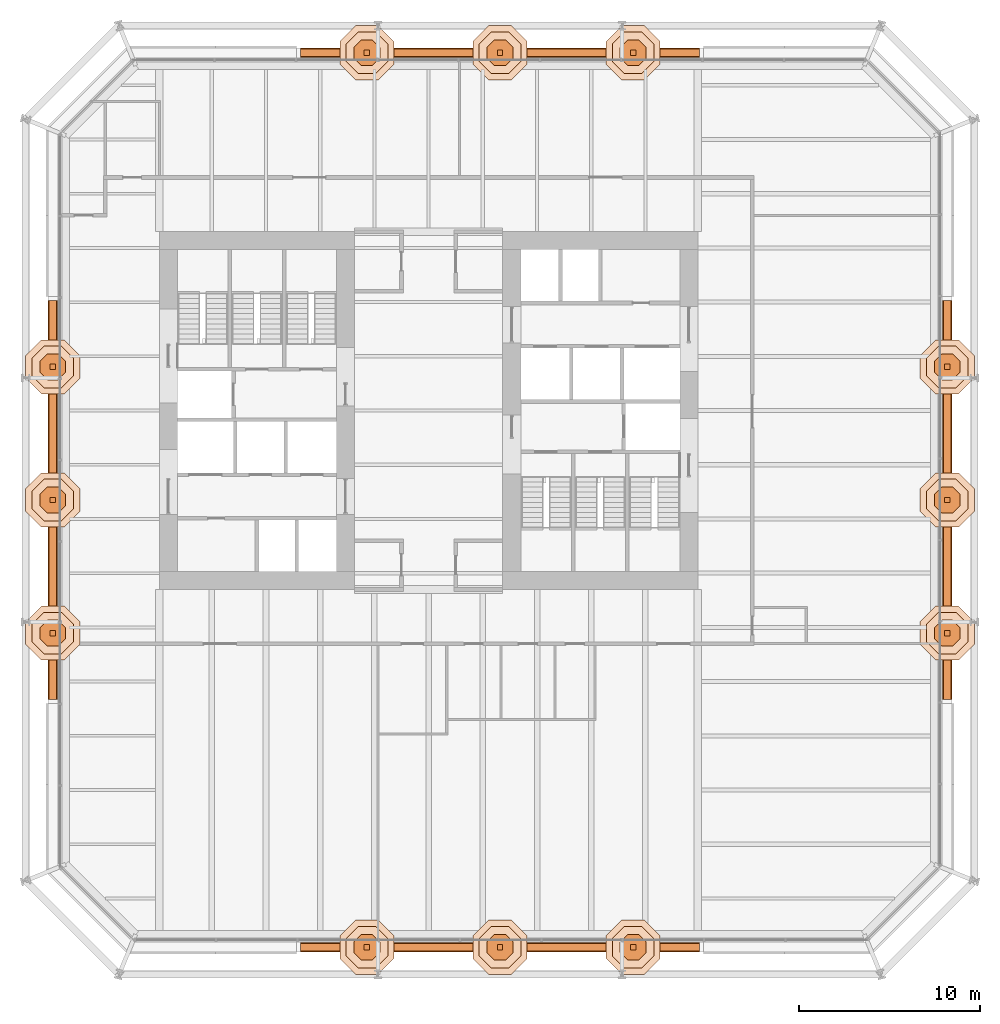
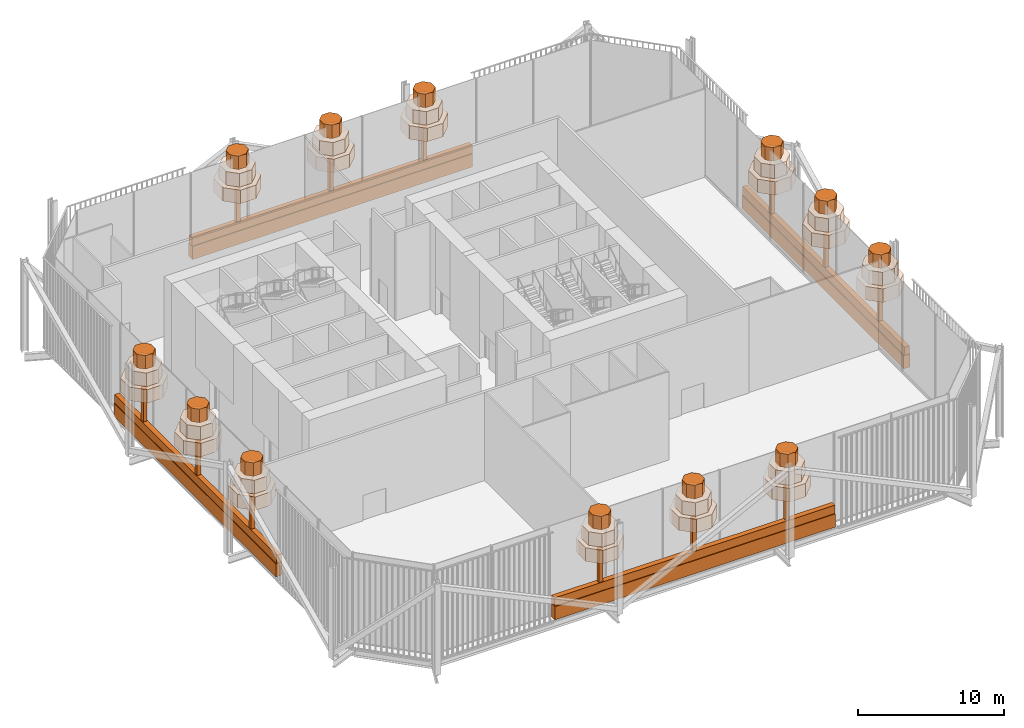
# One storey, part 18 of 18: 56 geographic elements.
"""IFC4 building model written with IfcOpenShell, lengths in metres."""

from ifc_helpers import new_model, si_unit, direction, frame, origin, origin_2d, place, context, subcontext, project, spatial, polyline, rectangle, outline, extrude, material, layer, layer_set, type_object, element, save


model = new_model("IFC4")

# Units and contexts
model_context = context("Model", 3, precision=1e-05, world=origin(), true_north=direction((0.0, 1.0)))
body_context = subcontext(model_context, "Body", "Model", "MODEL_VIEW")
ifc_project = project(units=[si_unit("LENGTHUNIT", "METRE"), si_unit("AREAUNIT", "SQUARE_METRE"), si_unit("VOLUMEUNIT", "CUBIC_METRE"), si_unit("PLANEANGLEUNIT", "RADIAN"), si_unit("MASSUNIT", "GRAM", prefix="KILO")], contexts=[model_context])

# Site, building, storey
site_placement = place(None, origin())
site = spatial("IfcSite", under=ifc_project, at=site_placement, CompositionType="ELEMENT")
building_placement = place(site_placement, origin())
building = spatial("IfcBuilding", under=site, at=building_placement, Name="Millrace Tower", CompositionType="ELEMENT")
storey_placement = place(building_placement, frame((0.0, 0.0, 112.800048828125)))
storey = spatial("IfcBuildingStorey", under=building, at=storey_placement, Name="L25", CompositionType="ELEMENT", Elevation=112.800048828125)

# Geographic elements
ifc_material_1 = material(Name="Concrete C40", Category="concrete")
ifc_layer = layer(ifc_material_1, 0.5)
ifc_layer_set = layer_set([ifc_layer], Name="Concrete C40")
geographic_element_type_1 = type_object("IfcGeographicElementType", Name="PLANTER sky garden bed 1100 high x 500 thick", PredefinedType="USERDEFINED", material=ifc_layer_set)
for number, where, z_axis, x_axis, name in (
    (1, (3.949951171875, -29.699951171875, 0.14990234375), (0.0, 0.0, 1.0), (1.0, 0.0, 0.0), "Planter sky garden B-F02 L25"),
    (2, (28.699951171875, -4.949951171875, 0.14990234375), (0.0, 0.0, 1.0), (0.0, 1.0, 0.0), "Planter sky garden B-F04 L25"),
    (3, (3.949951171875, 19.800048828125, 0.14990234375), (0.0, 0.0, 1.0), (-1.0, 0.0, 0.0), "Planter sky garden B-F06 L25"),
    (4, (-20.800048828125, -4.949951171875, 0.14990234375), (0.0, 0.0, 1.0), (0.0, -1.0, 0.0), "Planter sky garden B-F08 L25"),
):
    element("IfcGeographicElement", number, at=place(storey_placement, frame(where, z_axis=z_axis, x_axis=x_axis)), inside=storey, type_object=geographic_element_type_1, Name=name, ObjectType="PLANTER", PredefinedType="USERDEFINED", context=body_context, shape_type="SweptSolid", body=[
        extrude(rectangle(XDim=22.10009765625, YDim=0.5, at=origin_2d()), origin(), (0.0, 0.0, 1.0), 1.10009765625),
    ])
ifc_material_2 = material(Name="Planting shrub bed")
geographic_element_type_2 = type_object("IfcGeographicElementType", Name="Shrub bed", PredefinedType="USERDEFINED", material=ifc_material_2)
for number, where, z_axis, x_axis, name in (
    (5, (3.949951171875, -29.699951171875, 1.25), (0.0, 0.0, 1.0), (1.0, 0.0, 0.0), "Shrub bed B-F02-L25-900"),
    (6, (28.699951171875, -4.949951171875, 1.25), (0.0, 0.0, 1.0), (0.0, 1.0, 0.0), "Shrub bed B-F04-L25-900"),
    (7, (3.949951171875, 19.800048828125, 1.25), (0.0, 0.0, 1.0), (-1.0, 0.0, 0.0), "Shrub bed B-F06-L25-900"),
    (8, (-20.800048828125, -4.949951171875, 1.25), (0.0, 0.0, 1.0), (0.0, -1.0, 0.0), "Shrub bed B-F08-L25-900"),
):
    element("IfcGeographicElement", number, at=place(storey_placement, frame(where, z_axis=z_axis, x_axis=x_axis)), inside=storey, type_object=geographic_element_type_2, Name=name, ObjectType="SHRUB", PredefinedType="USERDEFINED", context=body_context, shape_type="SweptSolid", body=[
        extrude(rectangle(XDim=22.10009765625, YDim=0.39990234375, at=origin_2d()), origin(), (0.0, 0.0, 1.0), 0.699951171875),
    ])
ifc_material_3 = material(Name="Planting tree crown")
geographic_element_type_3 = type_object("IfcGeographicElementType", Name="Tree crown", PredefinedType="USERDEFINED", material=ifc_material_3)
placement_1 = place(storey_placement, frame((0.0, 0.0, 4.5)))
element("IfcGeographicElement", 9, at=placement_1, inside=storey, type_object=geographic_element_type_3, Name="Tree crown B-F02-L25-900-0 tier 1", ObjectType="TREE", PredefinedType="USERDEFINED", context=body_context, shape_type="SweptSolid", body=[
    extrude(outline(polyline([(-1.915283203125, -29.078125), (-2.794921875, -28.19873046875), (-4.03857421875, -28.19873046875), (-4.91796875, -29.078125), (-4.91796875, -30.322021484375), (-4.03857421875, -31.201416015625), (-2.794921875, -31.201416015625), (-1.915283203125, -30.322021484375), (-1.915283203125, -29.078125)])), origin(), (0.0, 0.0, 1.0), 1.125),
])
placement_2 = place(storey_placement, frame((0.0, 0.0, 5.625)))
element("IfcGeographicElement", 10, at=placement_2, inside=storey, type_object=geographic_element_type_3, Name="Tree crown B-F02-L25-900-0 tier 2", ObjectType="TREE", PredefinedType="USERDEFINED", context=body_context, shape_type="SweptSolid", body=[
    extrude(outline(polyline([(-2.26171875, -29.2216796875), (-2.938232421875, -28.545166015625), (-3.89501953125, -28.545166015625), (-4.571533203125, -29.2216796875), (-4.571533203125, -30.178466796875), (-3.89501953125, -30.854736328125), (-2.938232421875, -30.854736328125), (-2.26171875, -30.178466796875), (-2.26171875, -29.2216796875)])), origin(), (0.0, 0.0, 1.0), 1.125),
])
placement_3 = place(storey_placement, frame((0.0, 0.0, 6.75)))
element("IfcGeographicElement", 11, at=placement_3, inside=storey, type_object=geographic_element_type_3, Name="Tree crown B-F02-L25-900-0 tier 3", ObjectType="TREE", PredefinedType="USERDEFINED", context=body_context, shape_type="SweptSolid", body=[
    extrude(outline(polyline([(-2.70068359375, -29.4033203125), (-3.1201171875, -28.98388671875), (-3.713134765625, -28.98388671875), (-4.1328125, -29.4033203125), (-4.1328125, -29.99658203125), (-3.713134765625, -30.416015625), (-3.1201171875, -30.416015625), (-2.70068359375, -29.99658203125), (-2.70068359375, -29.4033203125)])), origin(), (0.0, 0.0, 1.0), 1.125),
])
element("IfcGeographicElement", 12, at=placement_1, inside=storey, type_object=geographic_element_type_3, Name="Tree crown B-F02-L25-900-1 tier 1", ObjectType="TREE", PredefinedType="USERDEFINED", context=body_context, shape_type="SweptSolid", body=[
    extrude(outline(polyline([(5.451416015625, -29.078125), (4.572021484375, -28.19873046875), (3.328125, -28.19873046875), (2.44873046875, -29.078125), (2.44873046875, -30.322021484375), (3.328125, -31.201416015625), (4.572021484375, -31.201416015625), (5.451416015625, -30.322021484375), (5.451416015625, -29.078125)])), origin(), (0.0, 0.0, 1.0), 1.125),
])
element("IfcGeographicElement", 13, at=placement_2, inside=storey, type_object=geographic_element_type_3, Name="Tree crown B-F02-L25-900-1 tier 2", ObjectType="TREE", PredefinedType="USERDEFINED", context=body_context, shape_type="SweptSolid", body=[
    extrude(outline(polyline([(5.104736328125, -29.2216796875), (4.428466796875, -28.545166015625), (3.4716796875, -28.545166015625), (2.795166015625, -29.2216796875), (2.795166015625, -30.178466796875), (3.4716796875, -30.854736328125), (4.428466796875, -30.854736328125), (5.104736328125, -30.178466796875), (5.104736328125, -29.2216796875)])), origin(), (0.0, 0.0, 1.0), 1.125),
])
element("IfcGeographicElement", 14, at=placement_3, inside=storey, type_object=geographic_element_type_3, Name="Tree crown B-F02-L25-900-1 tier 3", ObjectType="TREE", PredefinedType="USERDEFINED", context=body_context, shape_type="SweptSolid", body=[
    extrude(outline(polyline([(4.666015625, -29.4033203125), (4.24658203125, -28.98388671875), (3.6533203125, -28.98388671875), (3.23388671875, -29.4033203125), (3.23388671875, -29.99658203125), (3.6533203125, -30.416015625), (4.24658203125, -30.416015625), (4.666015625, -29.99658203125), (4.666015625, -29.4033203125)])), origin(), (0.0, 0.0, 1.0), 1.125),
])
element("IfcGeographicElement", 15, at=placement_1, inside=storey, type_object=geographic_element_type_3, Name="Tree crown B-F02-L25-900-2 tier 1", ObjectType="TREE", PredefinedType="USERDEFINED", context=body_context, shape_type="SweptSolid", body=[
    extrude(outline(polyline([(12.818115234375, -29.078125), (11.9384765625, -28.19873046875), (10.69482421875, -28.19873046875), (9.8154296875, -29.078125), (9.8154296875, -30.322021484375), (10.69482421875, -31.201416015625), (11.9384765625, -31.201416015625), (12.818115234375, -30.322021484375), (12.818115234375, -29.078125)])), origin(), (0.0, 0.0, 1.0), 1.125),
])
element("IfcGeographicElement", 16, at=placement_2, inside=storey, type_object=geographic_element_type_3, Name="Tree crown B-F02-L25-900-2 tier 2", ObjectType="TREE", PredefinedType="USERDEFINED", context=body_context, shape_type="SweptSolid", body=[
    extrude(outline(polyline([(12.471435546875, -29.2216796875), (11.794921875, -28.545166015625), (10.83837890625, -28.545166015625), (10.161865234375, -29.2216796875), (10.161865234375, -30.178466796875), (10.83837890625, -30.854736328125), (11.794921875, -30.854736328125), (12.471435546875, -30.178466796875), (12.471435546875, -29.2216796875)])), origin(), (0.0, 0.0, 1.0), 1.125),
])
element("IfcGeographicElement", 17, at=placement_3, inside=storey, type_object=geographic_element_type_3, Name="Tree crown B-F02-L25-900-2 tier 3", ObjectType="TREE", PredefinedType="USERDEFINED", context=body_context, shape_type="SweptSolid", body=[
    extrude(outline(polyline([(12.03271484375, -29.4033203125), (11.61328125, -28.98388671875), (11.02001953125, -28.98388671875), (10.6005859375, -29.4033203125), (10.6005859375, -29.99658203125), (11.02001953125, -30.416015625), (11.61328125, -30.416015625), (12.03271484375, -29.99658203125), (12.03271484375, -29.4033203125)])), origin(), (0.0, 0.0, 1.0), 1.125),
])
element("IfcGeographicElement", 18, at=placement_1, inside=storey, type_object=geographic_element_type_3, Name="Tree crown B-F04-L25-900-0 tier 1", ObjectType="TREE", PredefinedType="USERDEFINED", context=body_context, shape_type="SweptSolid", body=[
    extrude(outline(polyline([(30.201416015625, -11.69482421875), (29.322021484375, -10.8154296875), (28.078125, -10.8154296875), (27.19873046875, -11.69482421875), (27.19873046875, -12.9384765625), (28.078125, -13.818115234375), (29.322021484375, -13.818115234375), (30.201416015625, -12.9384765625), (30.201416015625, -11.69482421875)])), origin(), (0.0, 0.0, 1.0), 1.125),
])
element("IfcGeographicElement", 19, at=placement_2, inside=storey, type_object=geographic_element_type_3, Name="Tree crown B-F04-L25-900-0 tier 2", ObjectType="TREE", PredefinedType="USERDEFINED", context=body_context, shape_type="SweptSolid", body=[
    extrude(outline(polyline([(29.854736328125, -11.83837890625), (29.178466796875, -11.161865234375), (28.2216796875, -11.161865234375), (27.545166015625, -11.83837890625), (27.545166015625, -12.794921875), (28.2216796875, -13.471435546875), (29.178466796875, -13.471435546875), (29.854736328125, -12.794921875), (29.854736328125, -11.83837890625)])), origin(), (0.0, 0.0, 1.0), 1.125),
])
element("IfcGeographicElement", 20, at=placement_3, inside=storey, type_object=geographic_element_type_3, Name="Tree crown B-F04-L25-900-0 tier 3", ObjectType="TREE", PredefinedType="USERDEFINED", context=body_context, shape_type="SweptSolid", body=[
    extrude(outline(polyline([(29.416015625, -12.02001953125), (28.99658203125, -11.6005859375), (28.4033203125, -11.6005859375), (27.98388671875, -12.02001953125), (27.98388671875, -12.61328125), (28.4033203125, -13.03271484375), (28.99658203125, -13.03271484375), (29.416015625, -12.61328125), (29.416015625, -12.02001953125)])), origin(), (0.0, 0.0, 1.0), 1.125),
])
element("IfcGeographicElement", 21, at=placement_1, inside=storey, type_object=geographic_element_type_3, Name="Tree crown B-F04-L25-900-1 tier 1", ObjectType="TREE", PredefinedType="USERDEFINED", context=body_context, shape_type="SweptSolid", body=[
    extrude(outline(polyline([(30.201416015625, -4.328125), (29.322021484375, -3.44873046875), (28.078125, -3.44873046875), (27.19873046875, -4.328125), (27.19873046875, -5.572021484375), (28.078125, -6.451416015625), (29.322021484375, -6.451416015625), (30.201416015625, -5.572021484375), (30.201416015625, -4.328125)])), origin(), (0.0, 0.0, 1.0), 1.125),
])
element("IfcGeographicElement", 22, at=placement_2, inside=storey, type_object=geographic_element_type_3, Name="Tree crown B-F04-L25-900-1 tier 2", ObjectType="TREE", PredefinedType="USERDEFINED", context=body_context, shape_type="SweptSolid", body=[
    extrude(outline(polyline([(29.854736328125, -4.4716796875), (29.178466796875, -3.795166015625), (28.2216796875, -3.795166015625), (27.545166015625, -4.4716796875), (27.545166015625, -5.428466796875), (28.2216796875, -6.104736328125), (29.178466796875, -6.104736328125), (29.854736328125, -5.428466796875), (29.854736328125, -4.4716796875)])), origin(), (0.0, 0.0, 1.0), 1.125),
])
element("IfcGeographicElement", 23, at=placement_3, inside=storey, type_object=geographic_element_type_3, Name="Tree crown B-F04-L25-900-1 tier 3", ObjectType="TREE", PredefinedType="USERDEFINED", context=body_context, shape_type="SweptSolid", body=[
    extrude(outline(polyline([(29.416015625, -4.6533203125), (28.99658203125, -4.23388671875), (28.4033203125, -4.23388671875), (27.98388671875, -4.6533203125), (27.98388671875, -5.24658203125), (28.4033203125, -5.666015625), (28.99658203125, -5.666015625), (29.416015625, -5.24658203125), (29.416015625, -4.6533203125)])), origin(), (0.0, 0.0, 1.0), 1.125),
])
element("IfcGeographicElement", 24, at=placement_1, inside=storey, type_object=geographic_element_type_3, Name="Tree crown B-F04-L25-900-2 tier 1", ObjectType="TREE", PredefinedType="USERDEFINED", context=body_context, shape_type="SweptSolid", body=[
    extrude(outline(polyline([(30.201416015625, 3.03857421875), (29.322021484375, 3.91796875), (28.078125, 3.91796875), (27.19873046875, 3.03857421875), (27.19873046875, 1.794921875), (28.078125, 0.915283203125), (29.322021484375, 0.915283203125), (30.201416015625, 1.794921875), (30.201416015625, 3.03857421875)])), origin(), (0.0, 0.0, 1.0), 1.125),
])
element("IfcGeographicElement", 25, at=placement_2, inside=storey, type_object=geographic_element_type_3, Name="Tree crown B-F04-L25-900-2 tier 2", ObjectType="TREE", PredefinedType="USERDEFINED", context=body_context, shape_type="SweptSolid", body=[
    extrude(outline(polyline([(29.854736328125, 2.89501953125), (29.178466796875, 3.571533203125), (28.2216796875, 3.571533203125), (27.545166015625, 2.89501953125), (27.545166015625, 1.938232421875), (28.2216796875, 1.26171875), (29.178466796875, 1.26171875), (29.854736328125, 1.938232421875), (29.854736328125, 2.89501953125)])), origin(), (0.0, 0.0, 1.0), 1.125),
])
element("IfcGeographicElement", 26, at=placement_3, inside=storey, type_object=geographic_element_type_3, Name="Tree crown B-F04-L25-900-2 tier 3", ObjectType="TREE", PredefinedType="USERDEFINED", context=body_context, shape_type="SweptSolid", body=[
    extrude(outline(polyline([(29.416015625, 2.713134765625), (28.99658203125, 3.1328125), (28.4033203125, 3.1328125), (27.98388671875, 2.713134765625), (27.98388671875, 2.1201171875), (28.4033203125, 1.70068359375), (28.99658203125, 1.70068359375), (29.416015625, 2.1201171875), (29.416015625, 2.713134765625)])), origin(), (0.0, 0.0, 1.0), 1.125),
])
element("IfcGeographicElement", 27, at=placement_1, inside=storey, type_object=geographic_element_type_3, Name="Tree crown B-F06-L25-900-0 tier 1", ObjectType="TREE", PredefinedType="USERDEFINED", context=body_context, shape_type="SweptSolid", body=[
    extrude(outline(polyline([(12.818115234375, 20.421875), (11.9384765625, 21.30126953125), (10.69482421875, 21.30126953125), (9.8154296875, 20.421875), (9.8154296875, 19.177978515625), (10.69482421875, 18.298583984375), (11.9384765625, 18.298583984375), (12.818115234375, 19.177978515625), (12.818115234375, 20.421875)])), origin(), (0.0, 0.0, 1.0), 1.125),
])
element("IfcGeographicElement", 28, at=placement_2, inside=storey, type_object=geographic_element_type_3, Name="Tree crown B-F06-L25-900-0 tier 2", ObjectType="TREE", PredefinedType="USERDEFINED", context=body_context, shape_type="SweptSolid", body=[
    extrude(outline(polyline([(12.471435546875, 20.2783203125), (11.794921875, 20.954833984375), (10.83837890625, 20.954833984375), (10.161865234375, 20.2783203125), (10.161865234375, 19.321533203125), (10.83837890625, 18.645263671875), (11.794921875, 18.645263671875), (12.471435546875, 19.321533203125), (12.471435546875, 20.2783203125)])), origin(), (0.0, 0.0, 1.0), 1.125),
])
element("IfcGeographicElement", 29, at=placement_3, inside=storey, type_object=geographic_element_type_3, Name="Tree crown B-F06-L25-900-0 tier 3", ObjectType="TREE", PredefinedType="USERDEFINED", context=body_context, shape_type="SweptSolid", body=[
    extrude(outline(polyline([(12.03271484375, 20.0966796875), (11.61328125, 20.51611328125), (11.02001953125, 20.51611328125), (10.6005859375, 20.0966796875), (10.6005859375, 19.50341796875), (11.02001953125, 19.083984375), (11.61328125, 19.083984375), (12.03271484375, 19.50341796875), (12.03271484375, 20.0966796875)])), origin(), (0.0, 0.0, 1.0), 1.125),
])
element("IfcGeographicElement", 30, at=placement_1, inside=storey, type_object=geographic_element_type_3, Name="Tree crown B-F06-L25-900-1 tier 1", ObjectType="TREE", PredefinedType="USERDEFINED", context=body_context, shape_type="SweptSolid", body=[
    extrude(outline(polyline([(5.451416015625, 20.421875), (4.572021484375, 21.30126953125), (3.328125, 21.30126953125), (2.44873046875, 20.421875), (2.44873046875, 19.177978515625), (3.328125, 18.298583984375), (4.572021484375, 18.298583984375), (5.451416015625, 19.177978515625), (5.451416015625, 20.421875)])), origin(), (0.0, 0.0, 1.0), 1.125),
])
element("IfcGeographicElement", 31, at=placement_2, inside=storey, type_object=geographic_element_type_3, Name="Tree crown B-F06-L25-900-1 tier 2", ObjectType="TREE", PredefinedType="USERDEFINED", context=body_context, shape_type="SweptSolid", body=[
    extrude(outline(polyline([(5.104736328125, 20.2783203125), (4.428466796875, 20.954833984375), (3.4716796875, 20.954833984375), (2.795166015625, 20.2783203125), (2.795166015625, 19.321533203125), (3.4716796875, 18.645263671875), (4.428466796875, 18.645263671875), (5.104736328125, 19.321533203125), (5.104736328125, 20.2783203125)])), origin(), (0.0, 0.0, 1.0), 1.125),
])
element("IfcGeographicElement", 32, at=placement_3, inside=storey, type_object=geographic_element_type_3, Name="Tree crown B-F06-L25-900-1 tier 3", ObjectType="TREE", PredefinedType="USERDEFINED", context=body_context, shape_type="SweptSolid", body=[
    extrude(outline(polyline([(4.666015625, 20.0966796875), (4.24658203125, 20.51611328125), (3.6533203125, 20.51611328125), (3.23388671875, 20.0966796875), (3.23388671875, 19.50341796875), (3.6533203125, 19.083984375), (4.24658203125, 19.083984375), (4.666015625, 19.50341796875), (4.666015625, 20.0966796875)])), origin(), (0.0, 0.0, 1.0), 1.125),
])
element("IfcGeographicElement", 33, at=placement_1, inside=storey, type_object=geographic_element_type_3, Name="Tree crown B-F06-L25-900-2 tier 1", ObjectType="TREE", PredefinedType="USERDEFINED", context=body_context, shape_type="SweptSolid", body=[
    extrude(outline(polyline([(-1.915283203125, 20.421875), (-2.794921875, 21.30126953125), (-4.03857421875, 21.30126953125), (-4.91796875, 20.421875), (-4.91796875, 19.177978515625), (-4.03857421875, 18.298583984375), (-2.794921875, 18.298583984375), (-1.915283203125, 19.177978515625), (-1.915283203125, 20.421875)])), origin(), (0.0, 0.0, 1.0), 1.125),
])
element("IfcGeographicElement", 34, at=placement_2, inside=storey, type_object=geographic_element_type_3, Name="Tree crown B-F06-L25-900-2 tier 2", ObjectType="TREE", PredefinedType="USERDEFINED", context=body_context, shape_type="SweptSolid", body=[
    extrude(outline(polyline([(-2.26171875, 20.2783203125), (-2.938232421875, 20.954833984375), (-3.89501953125, 20.954833984375), (-4.571533203125, 20.2783203125), (-4.571533203125, 19.321533203125), (-3.89501953125, 18.645263671875), (-2.938232421875, 18.645263671875), (-2.26171875, 19.321533203125), (-2.26171875, 20.2783203125)])), origin(), (0.0, 0.0, 1.0), 1.125),
])
element("IfcGeographicElement", 35, at=placement_3, inside=storey, type_object=geographic_element_type_3, Name="Tree crown B-F06-L25-900-2 tier 3", ObjectType="TREE", PredefinedType="USERDEFINED", context=body_context, shape_type="SweptSolid", body=[
    extrude(outline(polyline([(-2.70068359375, 20.0966796875), (-3.1201171875, 20.51611328125), (-3.713134765625, 20.51611328125), (-4.1328125, 20.0966796875), (-4.1328125, 19.50341796875), (-3.713134765625, 19.083984375), (-3.1201171875, 19.083984375), (-2.70068359375, 19.50341796875), (-2.70068359375, 20.0966796875)])), origin(), (0.0, 0.0, 1.0), 1.125),
])
element("IfcGeographicElement", 36, at=placement_1, inside=storey, type_object=geographic_element_type_3, Name="Tree crown B-F08-L25-900-0 tier 1", ObjectType="TREE", PredefinedType="USERDEFINED", context=body_context, shape_type="SweptSolid", body=[
    extrude(outline(polyline([(-19.298583984375, 3.03857421875), (-20.177978515625, 3.91796875), (-21.421875, 3.91796875), (-22.30126953125, 3.03857421875), (-22.30126953125, 1.794921875), (-21.421875, 0.915283203125), (-20.177978515625, 0.915283203125), (-19.298583984375, 1.794921875), (-19.298583984375, 3.03857421875)])), origin(), (0.0, 0.0, 1.0), 1.125),
])
element("IfcGeographicElement", 37, at=placement_2, inside=storey, type_object=geographic_element_type_3, Name="Tree crown B-F08-L25-900-0 tier 2", ObjectType="TREE", PredefinedType="USERDEFINED", context=body_context, shape_type="SweptSolid", body=[
    extrude(outline(polyline([(-19.645263671875, 2.89501953125), (-20.321533203125, 3.571533203125), (-21.2783203125, 3.571533203125), (-21.954833984375, 2.89501953125), (-21.954833984375, 1.938232421875), (-21.2783203125, 1.26171875), (-20.321533203125, 1.26171875), (-19.645263671875, 1.938232421875), (-19.645263671875, 2.89501953125)])), origin(), (0.0, 0.0, 1.0), 1.125),
])
element("IfcGeographicElement", 38, at=placement_3, inside=storey, type_object=geographic_element_type_3, Name="Tree crown B-F08-L25-900-0 tier 3", ObjectType="TREE", PredefinedType="USERDEFINED", context=body_context, shape_type="SweptSolid", body=[
    extrude(outline(polyline([(-20.083984375, 2.713134765625), (-20.50341796875, 3.1328125), (-21.0966796875, 3.1328125), (-21.51611328125, 2.713134765625), (-21.51611328125, 2.1201171875), (-21.0966796875, 1.70068359375), (-20.50341796875, 1.70068359375), (-20.083984375, 2.1201171875), (-20.083984375, 2.713134765625)])), origin(), (0.0, 0.0, 1.0), 1.125),
])
element("IfcGeographicElement", 39, at=placement_1, inside=storey, type_object=geographic_element_type_3, Name="Tree crown B-F08-L25-900-1 tier 1", ObjectType="TREE", PredefinedType="USERDEFINED", context=body_context, shape_type="SweptSolid", body=[
    extrude(outline(polyline([(-19.298583984375, -4.328125), (-20.177978515625, -3.44873046875), (-21.421875, -3.44873046875), (-22.30126953125, -4.328125), (-22.30126953125, -5.572021484375), (-21.421875, -6.451416015625), (-20.177978515625, -6.451416015625), (-19.298583984375, -5.572021484375), (-19.298583984375, -4.328125)])), origin(), (0.0, 0.0, 1.0), 1.125),
])
element("IfcGeographicElement", 40, at=placement_2, inside=storey, type_object=geographic_element_type_3, Name="Tree crown B-F08-L25-900-1 tier 2", ObjectType="TREE", PredefinedType="USERDEFINED", context=body_context, shape_type="SweptSolid", body=[
    extrude(outline(polyline([(-19.645263671875, -4.4716796875), (-20.321533203125, -3.795166015625), (-21.2783203125, -3.795166015625), (-21.954833984375, -4.4716796875), (-21.954833984375, -5.428466796875), (-21.2783203125, -6.104736328125), (-20.321533203125, -6.104736328125), (-19.645263671875, -5.428466796875), (-19.645263671875, -4.4716796875)])), origin(), (0.0, 0.0, 1.0), 1.125),
])
element("IfcGeographicElement", 41, at=placement_3, inside=storey, type_object=geographic_element_type_3, Name="Tree crown B-F08-L25-900-1 tier 3", ObjectType="TREE", PredefinedType="USERDEFINED", context=body_context, shape_type="SweptSolid", body=[
    extrude(outline(polyline([(-20.083984375, -4.6533203125), (-20.50341796875, -4.23388671875), (-21.0966796875, -4.23388671875), (-21.51611328125, -4.6533203125), (-21.51611328125, -5.24658203125), (-21.0966796875, -5.666015625), (-20.50341796875, -5.666015625), (-20.083984375, -5.24658203125), (-20.083984375, -4.6533203125)])), origin(), (0.0, 0.0, 1.0), 1.125),
])
element("IfcGeographicElement", 42, at=placement_1, inside=storey, type_object=geographic_element_type_3, Name="Tree crown B-F08-L25-900-2 tier 1", ObjectType="TREE", PredefinedType="USERDEFINED", context=body_context, shape_type="SweptSolid", body=[
    extrude(outline(polyline([(-19.298583984375, -11.69482421875), (-20.177978515625, -10.8154296875), (-21.421875, -10.8154296875), (-22.30126953125, -11.69482421875), (-22.30126953125, -12.9384765625), (-21.421875, -13.818115234375), (-20.177978515625, -13.818115234375), (-19.298583984375, -12.9384765625), (-19.298583984375, -11.69482421875)])), origin(), (0.0, 0.0, 1.0), 1.125),
])
element("IfcGeographicElement", 43, at=placement_2, inside=storey, type_object=geographic_element_type_3, Name="Tree crown B-F08-L25-900-2 tier 2", ObjectType="TREE", PredefinedType="USERDEFINED", context=body_context, shape_type="SweptSolid", body=[
    extrude(outline(polyline([(-19.645263671875, -11.83837890625), (-20.321533203125, -11.161865234375), (-21.2783203125, -11.161865234375), (-21.954833984375, -11.83837890625), (-21.954833984375, -12.794921875), (-21.2783203125, -13.471435546875), (-20.321533203125, -13.471435546875), (-19.645263671875, -12.794921875), (-19.645263671875, -11.83837890625)])), origin(), (0.0, 0.0, 1.0), 1.125),
])
element("IfcGeographicElement", 44, at=placement_3, inside=storey, type_object=geographic_element_type_3, Name="Tree crown B-F08-L25-900-2 tier 3", ObjectType="TREE", PredefinedType="USERDEFINED", context=body_context, shape_type="SweptSolid", body=[
    extrude(outline(polyline([(-20.083984375, -12.02001953125), (-20.50341796875, -11.6005859375), (-21.0966796875, -11.6005859375), (-21.51611328125, -12.02001953125), (-21.51611328125, -12.61328125), (-21.0966796875, -13.03271484375), (-20.50341796875, -13.03271484375), (-20.083984375, -12.61328125), (-20.083984375, -12.02001953125)])), origin(), (0.0, 0.0, 1.0), 1.125),
])
ifc_material_4 = material(Name="Timber trunk", Category="wood")
geographic_element_type_4 = type_object("IfcGeographicElementType", Name="Tree trunk", PredefinedType="USERDEFINED", material=ifc_material_4)
for number, where, z_axis, x_axis, name in (
    (45, (-3.416748046875, -29.699951171875, 1.949951171875), (0.0, 0.0, 1.0), (1.0, 0.0, 0.0), "Tree trunk B-F02-L25-900-0"),
    (46, (3.949951171875, -29.699951171875, 1.949951171875), (0.0, 0.0, 1.0), (1.0, 0.0, 0.0), "Tree trunk B-F02-L25-900-1"),
    (47, (11.316650390625, -29.699951171875, 1.949951171875), (0.0, 0.0, 1.0), (1.0, 0.0, 0.0), "Tree trunk B-F02-L25-900-2"),
    (48, (28.699951171875, -12.316650390625, 1.949951171875), (0.0, 0.0, 1.0), (1.0, 0.0, 0.0), "Tree trunk B-F04-L25-900-0"),
    (49, (28.699951171875, -4.949951171875, 1.949951171875), (0.0, 0.0, 1.0), (1.0, 0.0, 0.0), "Tree trunk B-F04-L25-900-1"),
    (50, (28.699951171875, 2.416748046875, 1.949951171875), (0.0, 0.0, 1.0), (1.0, 0.0, 0.0), "Tree trunk B-F04-L25-900-2"),
    (51, (11.316650390625, 19.800048828125, 1.949951171875), (0.0, 0.0, 1.0), (1.0, 0.0, 0.0), "Tree trunk B-F06-L25-900-0"),
    (52, (3.949951171875, 19.800048828125, 1.949951171875), (0.0, 0.0, 1.0), (1.0, 0.0, 0.0), "Tree trunk B-F06-L25-900-1"),
    (53, (-3.416748046875, 19.800048828125, 1.949951171875), (0.0, 0.0, 1.0), (1.0, 0.0, 0.0), "Tree trunk B-F06-L25-900-2"),
    (54, (-20.800048828125, 2.416748046875, 1.949951171875), (0.0, 0.0, 1.0), (1.0, 0.0, 0.0), "Tree trunk B-F08-L25-900-0"),
    (55, (-20.800048828125, -4.949951171875, 1.949951171875), (0.0, 0.0, 1.0), (1.0, 0.0, 0.0), "Tree trunk B-F08-L25-900-1"),
    (56, (-20.800048828125, -12.316650390625, 1.949951171875), (0.0, 0.0, 1.0), (1.0, 0.0, 0.0), "Tree trunk B-F08-L25-900-2"),
):
    element("IfcGeographicElement", number, at=place(storey_placement, frame(where, z_axis=z_axis, x_axis=x_axis)), inside=storey, type_object=geographic_element_type_4, Name=name, ObjectType="TREE", PredefinedType="USERDEFINED", context=body_context, shape_type="SweptSolid", body=[
        extrude(rectangle(XDim=0.300048828125, YDim=0.300048828125, at=origin_2d()), origin(), (0.0, 0.0, 1.0), 2.75),
    ])

save(model, "model.ifc")
